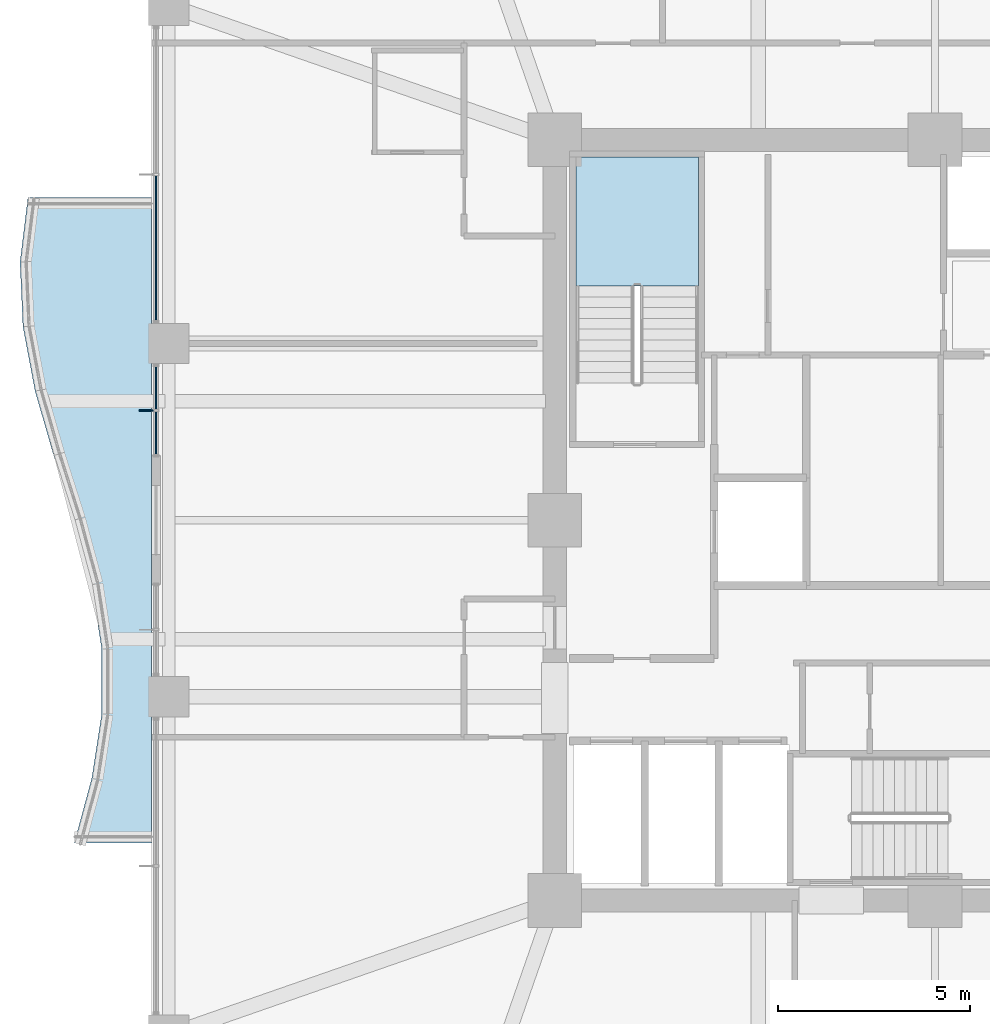
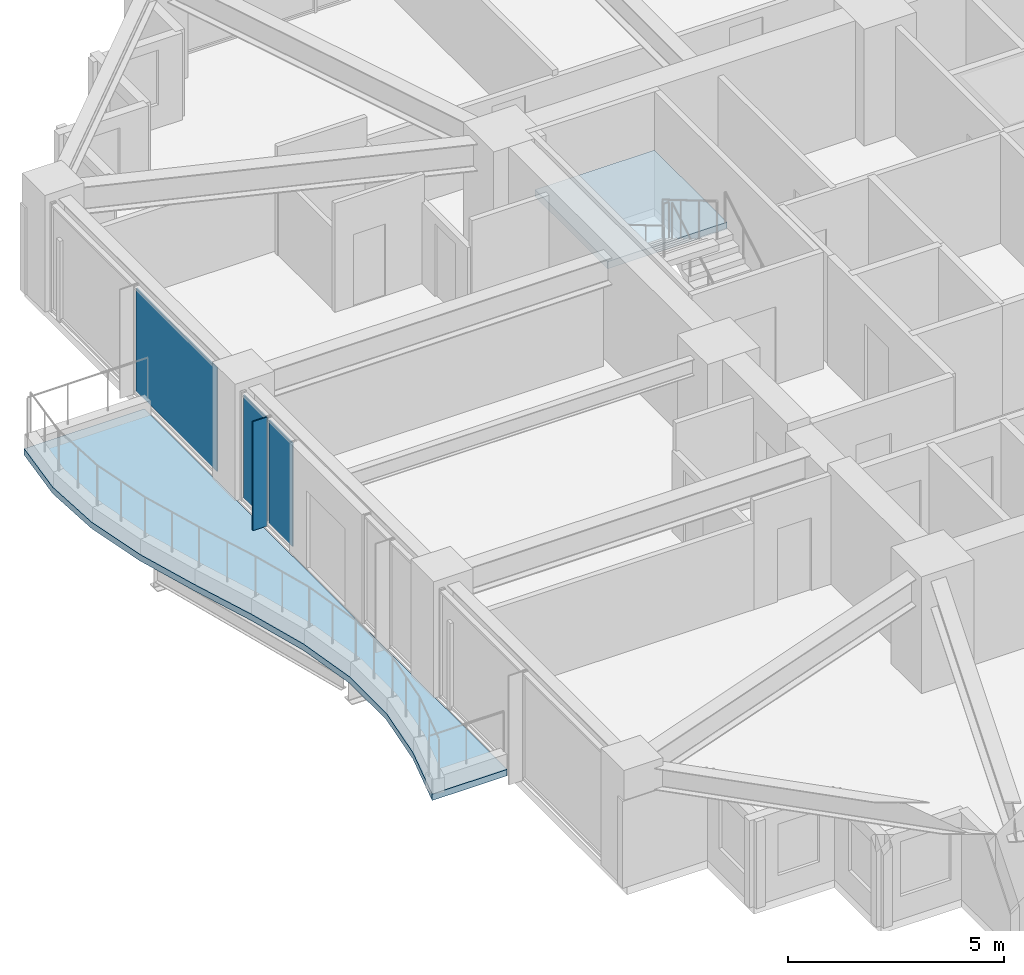
# One storey, part 26 of 38: 4 plates, 2 slabs, 3 elements without a shape of their own.
"""IFC4 building model written with IfcOpenShell, lengths in metres."""

from ifc_helpers import new_model, si_unit, direction, frame, origin, origin_2d, place, context, subcontext, project, spatial, polyline, rectangle, outline, extrude, material, layer, layer_set, type_object, element, aggregate, save


model = new_model("IFC4")

# Units and contexts
model_context = context("Model", 3, precision=1e-05, world=origin(), true_north=direction((0.0, 1.0)))
body_context = subcontext(model_context, "Body", "Model", "MODEL_VIEW")
ifc_project = project(units=[si_unit("LENGTHUNIT", "METRE"), si_unit("AREAUNIT", "SQUARE_METRE"), si_unit("VOLUMEUNIT", "CUBIC_METRE"), si_unit("PLANEANGLEUNIT", "RADIAN"), si_unit("MASSUNIT", "GRAM", prefix="KILO")], contexts=[model_context])

# Site, building, storey
site_placement = place(None, origin())
site = spatial("IfcSite", under=ifc_project, at=site_placement, CompositionType="ELEMENT")
building_placement = place(site_placement, origin())
building = spatial("IfcBuilding", under=site, at=building_placement, Name="Kolvaren Belvedere", CompositionType="ELEMENT")
storey_placement = place(building_placement, frame((0.0, 0.0, 101.89990234375)))
storey = spatial("IfcBuildingStorey", under=building, at=storey_placement, Name="L29", CompositionType="ELEMENT", Elevation=101.89990234375)

# Curtain wall, plates
ifc_material_1 = material(Name="Anodised pale-metal aluminium AA 6063-T6", Category="aluminium")
curtain_wall_type = type_object("IfcCurtainWallType", Name="CW-Z2-MID", PredefinedType="NOTDEFINED", material=ifc_material_1)
curtain_wall_1_placement = place(storey_placement, origin())
curtain_wall_1 = element("IfcCurtainWall", 1, at=curtain_wall_1_placement, inside=storey, type_object=curtain_wall_type, Name="L29 Unitised Curtain Wall FCW-L29-W2-B1", PredefinedType="NOTDEFINED")
ifc_material_2 = material(Name="Low-iron triple insulated glass", Category="glass")
ifc_layer_1 = layer(ifc_material_2, 0.028076171875)
ifc_layer_set_1 = layer_set([ifc_layer_1], Name="Low-iron triple insulated glass")
plate_type_1 = type_object("IfcPlateType", Name="CW-PNL-VIS28", PredefinedType="CURTAIN_PANEL", material=ifc_layer_set_1)
plate_1_placement = place(storey_placement, frame((-20.280029296875, 2.265625, 0.080078125), z_axis=(0.0, 0.0, 1.0), x_axis=(0.0, 1.0, 0.0)))
plate_1 = element("IfcPlate", 2, at=plate_1_placement, type_object=plate_type_1, Name="FCW-L29-W2-B1 Vision Glazing Panel 1", PredefinedType="CURTAIN_PANEL", context=body_context, shape_type="SweptSolid", body=[
    extrude(rectangle(XDim=1.09130859375, YDim=0.028076171875, at=origin_2d()), origin(), (0.0, 0.0, 1.0), 2.919921875),
])
plate_2_placement = place(storey_placement, frame((-20.280029296875, 3.43701171875, 0.080078125), z_axis=(0.0, 0.0, 1.0), x_axis=(0.0, 1.0, 0.0)))
plate_2 = element("IfcPlate", 3, at=plate_2_placement, type_object=plate_type_1, Name="FCW-L29-W2-B1 Vision Glazing Panel 2", PredefinedType="CURTAIN_PANEL", context=body_context, shape_type="SweptSolid", body=[
    extrude(rectangle(XDim=1.09130859375, YDim=0.028076171875, at=origin_2d()), origin(), (0.0, 0.0, 1.0), 2.919921875),
])
aggregate(curtain_wall_1, [plate_1, plate_2])

# Curtain wall, plate
curtain_wall_2_placement = place(storey_placement, origin())
curtain_wall_2 = element("IfcCurtainWall", 4, at=curtain_wall_2_placement, inside=storey, type_object=curtain_wall_type, Name="L29 Unitised Curtain Wall FCW-L29-W2-B2", PredefinedType="NOTDEFINED")
plate_3_placement = place(storey_placement, frame((-20.280029296875, 7.0888671875, 0.080078125), z_axis=(0.0, 0.0, 1.0), x_axis=(0.0, 1.0, 0.0)))
plate_3 = element("IfcPlate", 5, at=plate_3_placement, type_object=plate_type_1, Name="FCW-L29-W2-B2 Vision Glazing Panel 1", PredefinedType="CURTAIN_PANEL", context=body_context, shape_type="SweptSolid", body=[
    extrude(rectangle(XDim=3.742431640625, YDim=0.028076171875, at=origin_2d()), origin(), (0.0, 0.0, 1.0), 2.919921875),
])
aggregate(curtain_wall_2, [plate_3])

# Plate
ifc_material_3 = material(Name="Anodised pale-metal aluminium AA 6063-T6", Category="aluminium")
ifc_layer_2 = layer(ifc_material_3, 0.033935546875)
ifc_layer_set_2 = layer_set([ifc_layer_2], Name="Anodised pale-metal aluminium AA 6063-T6")
plate_type_2 = type_object("IfcPlateType", Name="FIN-VERT-380", PredefinedType="USERDEFINED", material=ifc_layer_set_2)
plate_4_placement = place(storey_placement, frame((-20.52490234375, 2.851318359375, 0.0), z_axis=(0.0, 0.0, 1.0), x_axis=(1.0, 0.0, 0.0)))
element("IfcPlate", 6, at=plate_4_placement, inside=storey, type_object=plate_type_2, Name="L29 Pale-Metal Vertical Shading Fin FCW-L29-W2-B1-1", ObjectType="VERTICAL FIN", PredefinedType="USERDEFINED", context=body_context, shape_type="SweptSolid", body=[
    extrude(rectangle(XDim=0.3798828125, YDim=0.033935546875, at=origin_2d()), origin(), (0.0, 0.0, 1.0), 3.080078125),
])

# Slab
ifc_material_4 = material(Name="Concrete C50/60", Category="concrete")
ifc_layer_3 = layer(ifc_material_4, 0.179931640625)
ifc_layer_set_3 = layer_set([ifc_layer_3], Name="Concrete C50/60")
slab_type_1 = type_object("IfcSlabType", Name="SL-BAL-180", PredefinedType="FLOOR", material=ifc_layer_set_3)
slab_1_placement = place(storey_placement, frame((0.0, 0.0, -0.219970703125)))
element("IfcSlab", 7, at=slab_1_placement, inside=storey, type_object=slab_type_1, Name="L29 Planted Balcony BAL-W", PredefinedType="FLOOR", context=body_context, shape_type="SweptSolid", body=[
    extrude(outline(polyline([(-23.61376953125, 8.39990234375), (-23.820068359375, 6.719970703125), (-23.744140625, 5.0400390625), (-23.428466796875, 3.360107421875), (-22.9423828125, 1.679931640625), (-22.40625, 0.0), (-21.95263671875, -1.679931640625), (-21.69384765625, -3.360107421875), (-21.69384765625, -5.0400390625), (-21.95263671875, -6.719970703125), (-22.40625, -8.39990234375), (-20.39990234375, -8.39990234375), (-20.39990234375, -6.719970703125), (-20.39990234375, -5.0400390625), (-20.39990234375, -3.360107421875), (-20.39990234375, -1.679931640625), (-20.39990234375, 0.0), (-20.39990234375, 1.679931640625), (-20.39990234375, 3.360107421875), (-20.39990234375, 5.0400390625), (-20.39990234375, 6.719970703125), (-20.39990234375, 8.39990234375), (-23.61376953125, 8.39990234375)])), origin(), (0.0, 0.0, 1.0), 0.18017578125),
])

# Stair, slab
ifc_material_5 = material(Name="Concrete C50/60", Category="concrete")
stair_type = type_object("IfcStairType", Name="ST-CORE-1520", PredefinedType="HALF_TURN_STAIR", material=ifc_material_5)
stair_placement = place(storey_placement, origin())
stair = element("IfcStair", 8, at=stair_placement, inside=storey, type_object=stair_type, Name="L29 Protected Exit Stair ST-1", PredefinedType="HALF_TURN_STAIR")
ifc_material_6 = material(Name="Concrete C50/60", Category="concrete")
ifc_layer_4 = layer(ifc_material_6, 0.260009765625)
ifc_layer_set_4 = layer_set([ifc_layer_4], Name="Concrete C50/60")
slab_type_2 = type_object("IfcSlabType", Name="SL-LAND-260", PredefinedType="LANDING", material=ifc_layer_set_4)
slab_2_placement = place(storey_placement, frame((0.0, 0.0, 1.4501953125)))
slab_2 = element("IfcSlab", 9, at=slab_2_placement, type_object=slab_type_2, Name="ST-1 landing 1", PredefinedType="LANDING", context=body_context, shape_type="SweptSolid", body=[
    extrude(outline(polyline([(-6.159912109375, 6.090087890625), (-6.159912109375, 9.449951171875), (-9.35009765625, 9.449951171875), (-9.35009765625, 6.090087890625), (-6.159912109375, 6.090087890625)])), origin(), (0.0, 0.0, 1.0), 0.199951171875),
])
aggregate(stair, [slab_2])

save(model, "model.ifc")
